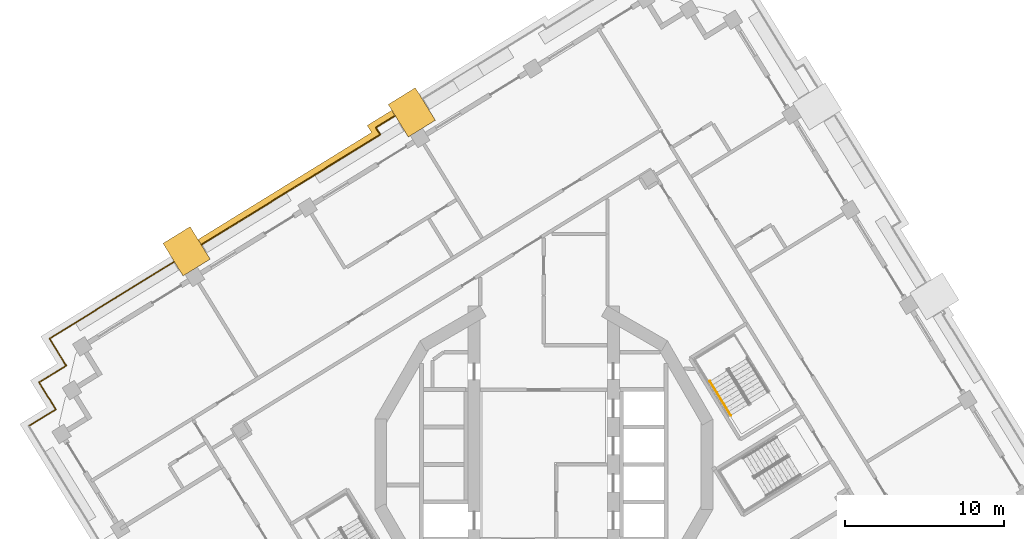
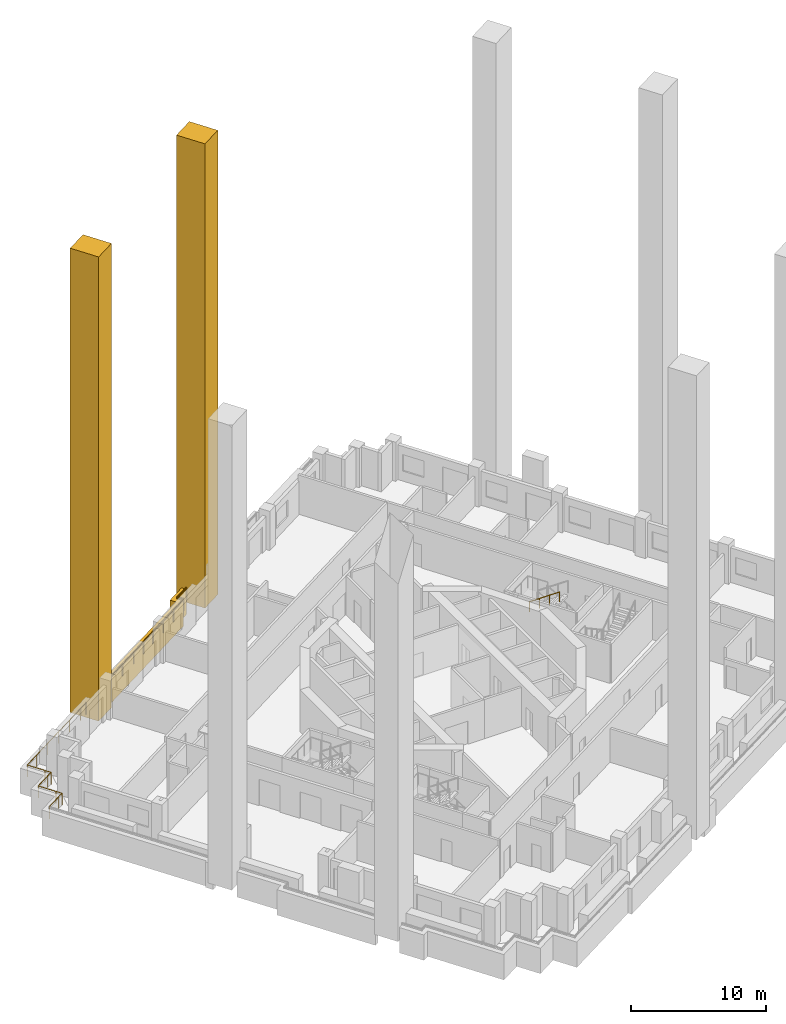
# One storey, part 16 of 19: 3 coverings, 3 railings.
"""IFC4 building model written with IfcOpenShell, lengths in metres."""

from ifc_helpers import new_model, si_unit, direction, frame, origin, origin_2d, place, context, subcontext, project, spatial, polyline, rectangle, circle, outline, extrude, material, type_object, element, save


model = new_model("IFC4")

# Units and contexts
model_context = context("Model", 3, precision=1e-05, world=origin(), true_north=direction((0.0, 1.0)))
body_context = subcontext(model_context, "Body", "Model", "MODEL_VIEW")
ifc_project = project(units=[si_unit("LENGTHUNIT", "METRE"), si_unit("AREAUNIT", "SQUARE_METRE"), si_unit("VOLUMEUNIT", "CUBIC_METRE"), si_unit("PLANEANGLEUNIT", "RADIAN"), si_unit("MASSUNIT", "GRAM", prefix="KILO")], contexts=[model_context])

# Site, building, storey
site_placement = place(None, origin())
site = spatial("IfcSite", under=ifc_project, at=site_placement, CompositionType="ELEMENT")
building_placement = place(site_placement, origin())
building = spatial("IfcBuilding", under=site, at=building_placement, Name="Cantera Rosa Tower", CompositionType="ELEMENT")
storey_placement = place(building_placement, frame((0.0, 0.0, 147.60009765625)))
storey = spatial("IfcBuildingStorey", under=building, at=storey_placement, Name="L31", CompositionType="ELEMENT", Elevation=147.60009765625)

# Railings
ifc_material_1 = material(Name="Stainless steel and laminated glass", Category="steel")
railing_type_1 = type_object("IfcRailingType", Name="GUARD 1100", PredefinedType="BALUSTRADE", material=ifc_material_1)
railing_1_placement = place(storey_placement, frame((-32.38525390625, 2.406982421875, 0.0)))
element("IfcRailing", 1, at=railing_1_placement, inside=storey, type_object=railing_type_1, Name="GUARD L31-3", PredefinedType="BALUSTRADE", context=body_context, shape_type="SweptSolid", body=[
    extrude(circle(Radius=0.030029296875, at=origin_2d()), frame((0.0, 0.0, 1.070068359375), z_axis=(0.85118298814, 0.524869051004, 0.0), x_axis=(-0.524869051004, 0.85118298814, 0.0)), (0.0, 0.0, 1.0), 1.5),
    extrude(circle(Radius=0.030029296875, at=origin_2d()), frame((1.27685546875, 0.787353515625, 1.070068359375), z_axis=(0.851138143202, 0.52494176933, 0.0), x_axis=(-0.52494176933, 0.851138143202, 0.0)), (0.0, 0.0, 1.0), 0.5),
    extrude(circle(Radius=0.030029296875, at=origin_2d()), frame((1.702392578125, 1.0498046875, 1.070068359375), z_axis=(-0.52494176933, 0.851138143202, 0.0), x_axis=(-0.851138143202, -0.52494176933, 0.0)), (0.0, 0.0, 1.0), 0.5),
    extrude(circle(Radius=0.030029296875, at=origin_2d()), frame((1.43994140625, 1.475341796875, 1.070068359375), z_axis=(-0.524986950369, 0.851110276017, 0.0), x_axis=(-0.851110276017, -0.524986950369, 0.0)), (0.0, 0.0, 1.0), 1.500244140625),
    extrude(circle(Radius=0.030029296875, at=origin_2d()), frame((0.65234375, 2.752197265625, 1.070068359375), z_axis=(0.851138143202, 0.52494176933, 0.0), x_axis=(-0.52494176933, 0.851138143202, 0.0)), (0.0, 0.0, 1.0), 1.5),
    extrude(circle(Radius=0.030029296875, at=origin_2d()), frame((1.928955078125, 3.53955078125, 1.070068359375), z_axis=(0.851138143202, 0.52494176933, 0.0), x_axis=(-0.52494176933, 0.851138143202, 0.0)), (0.0, 0.0, 1.0), 0.5),
    extrude(circle(Radius=0.030029296875, at=origin_2d()), frame((2.3544921875, 3.802001953125, 1.070068359375), z_axis=(-0.52494176933, 0.851138143202, 0.0), x_axis=(-0.851138143202, -0.52494176933, 0.0)), (0.0, 0.0, 1.0), 0.5),
    extrude(circle(Radius=0.030029296875, at=origin_2d()), frame((2.092041015625, 4.2275390625, 1.070068359375), z_axis=(-0.524869051004, 0.85118298814, 0.0), x_axis=(-0.85118298814, -0.524869051004, 0.0)), (0.0, 0.0, 1.0), 1.5),
    extrude(circle(Radius=0.030029296875, at=origin_2d()), frame((1.3046875, 5.50439453125, 1.070068359375), z_axis=(0.851138143202, 0.52494176933, 0.0), x_axis=(-0.52494176933, 0.851138143202, 0.0)), (0.0, 0.0, 1.0), 1.5),
    extrude(circle(Radius=0.030029296875, at=origin_2d()), frame((2.581298828125, 6.291748046875, 1.070068359375), z_axis=(0.851120753703, 0.524969963537, 0.0), x_axis=(-0.524969963537, 0.851120753703, 0.0)), (0.0, 0.0, 1.0), 6.820068359375),
    extrude(circle(Radius=0.030029296875, at=origin_2d()), frame((8.385986328125, 9.8720703125, 1.070068359375), z_axis=(0.851089370259, 0.525020841331, 0.0), x_axis=(-0.525020841331, 0.851089370259, 0.0)), (0.0, 0.0, 1.0), 0.8701171875),
    extrude(circle(Radius=0.02490234375, at=origin_2d()), origin(), (0.0, 0.0, 1.0), 1.0400390625),
    extrude(circle(Radius=0.02490234375, at=origin_2d()), frame((1.27685546875, 0.787353515625, 0.0)), (0.0, 0.0, 1.0), 1.0400390625),
    extrude(circle(Radius=0.02490234375, at=origin_2d()), frame((1.702392578125, 1.0498046875, 0.0)), (0.0, 0.0, 1.0), 1.0400390625),
    extrude(circle(Radius=0.02490234375, at=origin_2d()), frame((1.43994140625, 1.475341796875, 0.0)), (0.0, 0.0, 1.0), 1.0400390625),
    extrude(circle(Radius=0.02490234375, at=origin_2d()), frame((0.65234375, 2.752197265625, 0.0)), (0.0, 0.0, 1.0), 1.0400390625),
    extrude(circle(Radius=0.02490234375, at=origin_2d()), frame((1.928955078125, 3.53955078125, 0.0)), (0.0, 0.0, 1.0), 1.0400390625),
    extrude(circle(Radius=0.02490234375, at=origin_2d()), frame((2.3544921875, 3.802001953125, 0.0)), (0.0, 0.0, 1.0), 1.0400390625),
    extrude(circle(Radius=0.02490234375, at=origin_2d()), frame((2.092041015625, 4.2275390625, 0.0)), (0.0, 0.0, 1.0), 1.0400390625),
    extrude(circle(Radius=0.02490234375, at=origin_2d()), frame((1.3046875, 5.50439453125, 0.0)), (0.0, 0.0, 1.0), 1.0400390625),
    extrude(circle(Radius=0.02490234375, at=origin_2d()), frame((2.581298828125, 6.291748046875, 0.0)), (0.0, 0.0, 1.0), 1.0400390625),
    extrude(circle(Radius=0.02490234375, at=origin_2d()), frame((4.032470703125, 7.186767578125, 0.0)), (0.0, 0.0, 1.0), 1.0400390625),
    extrude(circle(Radius=0.02490234375, at=origin_2d()), frame((5.483642578125, 8.08203125, 0.0)), (0.0, 0.0, 1.0), 1.0400390625),
    extrude(circle(Radius=0.02490234375, at=origin_2d()), frame((6.934814453125, 8.97705078125, 0.0)), (0.0, 0.0, 1.0), 1.0400390625),
    extrude(circle(Radius=0.02490234375, at=origin_2d()), frame((8.385986328125, 9.8720703125, 0.0)), (0.0, 0.0, 1.0), 1.0400390625),
    extrude(circle(Radius=0.02490234375, at=origin_2d()), frame((9.12646484375, 10.328857421875, 0.0)), (0.0, 0.0, 1.0), 1.0400390625),
])
railing_2_placement = place(storey_placement, frame((-21.505615234375, 13.817138671875, 0.0)))
element("IfcRailing", 2, at=railing_2_placement, inside=storey, type_object=railing_type_1, Name="GUARD L31-5", PredefinedType="BALUSTRADE", context=body_context, shape_type="SweptSolid", body=[
    extrude(circle(Radius=0.030029296875, at=origin_2d()), frame((0.0, 0.0, 1.070068359375), z_axis=(0.850339408664, 0.52623463405, 0.0), x_axis=(-0.52623463405, 0.850339408664, 0.0)), (0.0, 0.0, 1.0), 0.070068359375),
    extrude(circle(Radius=0.030029296875, at=origin_2d()), frame((0.0595703125, 0.036865234375, 1.070068359375), z_axis=(0.851115851, 0.524977912085, 0.0), x_axis=(-0.524977912085, 0.851115851, 0.0)), (0.0, 0.0, 1.0), 5.320068359375),
    extrude(circle(Radius=0.030029296875, at=origin_2d()), frame((4.587646484375, 2.829833984375, 1.070068359375), z_axis=(0.851138143202, 0.52494176933, 0.0), x_axis=(-0.52494176933, 0.851138143202, 0.0)), (0.0, 0.0, 1.0), 2.999755859375),
    extrude(circle(Radius=0.030029296875, at=origin_2d()), frame((7.140869140625, 4.404541015625, 1.070068359375), z_axis=(0.851118219658, 0.524974071899, 0.0), x_axis=(-0.524974071899, 0.851118219658, 0.0)), (0.0, 0.0, 1.0), 4.7998046875),
    extrude(circle(Radius=0.030029296875, at=origin_2d()), frame((11.22607421875, 6.92431640625, 1.070068359375), z_axis=(-0.525013333851, 0.851094001435, 0.0), x_axis=(-0.851094001435, -0.525013333851, 0.0)), (0.0, 0.0, 1.0), 0.520263671875),
    extrude(circle(Radius=0.030029296875, at=origin_2d()), frame((10.952880859375, 7.3671875, 1.070068359375), z_axis=(0.851091103489, 0.525018031655, 0.0), x_axis=(-0.525018031655, 0.851091103489, 0.0)), (0.0, 0.0, 1.0), 1.390380859375),
    extrude(circle(Radius=0.02490234375, at=origin_2d()), origin(), (0.0, 0.0, 1.0), 1.0400390625),
    extrude(circle(Radius=0.02490234375, at=origin_2d()), frame((0.0595703125, 0.036865234375, 0.0)), (0.0, 0.0, 1.0), 1.0400390625),
    extrude(circle(Radius=0.02490234375, at=origin_2d()), frame((1.56884765625, 0.9677734375, 0.0)), (0.0, 0.0, 1.0), 1.0400390625),
    extrude(circle(Radius=0.02490234375, at=origin_2d()), frame((3.078369140625, 1.89892578125, 0.0)), (0.0, 0.0, 1.0), 1.0400390625),
    extrude(circle(Radius=0.02490234375, at=origin_2d()), frame((4.587646484375, 2.829833984375, 0.0)), (0.0, 0.0, 1.0), 1.0400390625),
    extrude(circle(Radius=0.02490234375, at=origin_2d()), frame((5.8642578125, 3.6171875, 0.0)), (0.0, 0.0, 1.0), 1.0400390625),
    extrude(circle(Radius=0.02490234375, at=origin_2d()), frame((7.140869140625, 4.404541015625, 0.0)), (0.0, 0.0, 1.0), 1.0400390625),
    extrude(circle(Radius=0.02490234375, at=origin_2d()), frame((8.502685546875, 5.244384765625, 0.0)), (0.0, 0.0, 1.0), 1.0400390625),
    extrude(circle(Radius=0.02490234375, at=origin_2d()), frame((9.8642578125, 6.08447265625, 0.0)), (0.0, 0.0, 1.0), 1.0400390625),
    extrude(circle(Radius=0.02490234375, at=origin_2d()), frame((11.22607421875, 6.92431640625, 0.0)), (0.0, 0.0, 1.0), 1.0400390625),
    extrude(circle(Radius=0.02490234375, at=origin_2d()), frame((10.952880859375, 7.3671875, 0.0)), (0.0, 0.0, 1.0), 1.0400390625),
    extrude(circle(Radius=0.02490234375, at=origin_2d()), frame((12.13623046875, 8.09716796875, 0.0)), (0.0, 0.0, 1.0), 1.0400390625),
])
ifc_material_2 = material(Name="Steel S355J2 (EN 10025-2)", Category="steel")
railing_type_2 = type_object("IfcRailingType", Name="STAIR HANDRAIL 900", PredefinedType="HANDRAIL", material=ifc_material_2)
railing_3_placement = place(storey_placement, frame((10.441650390625, 5.2314453125, 2.08984375)))
element("IfcRailing", 3, at=railing_3_placement, inside=storey, type_object=railing_type_2, Name="L31 ST-31 stair handrail 2", PredefinedType="HANDRAIL", context=body_context, shape_type="SweptSolid", body=[
    extrude(circle(Radius=0.02392578125, at=origin_2d()), frame((0.0, 0.0, 0.8759765625), z_axis=(0.434427613125, -0.704271375033, 0.561493080334), x_axis=(0.851102330005, 0.524999832248, 0.0)), (0.0, 0.0, 1.0), 3.04541015625),
    extrude(circle(Radius=0.02099609375, at=origin_2d()), origin(), (0.0, 0.0, 1.0), 0.851806640625),
    extrude(circle(Radius=0.02099609375, at=origin_2d()), frame((0.44091796875, -0.71484375, 0.570068359375)), (0.0, 0.0, 1.0), 0.851806640625),
    extrude(circle(Radius=0.02099609375, at=origin_2d()), frame((0.882080078125, -1.429931640625, 1.139892578125)), (0.0, 0.0, 1.0), 0.851806640625),
    extrude(circle(Radius=0.02099609375, at=origin_2d()), frame((1.322998046875, -2.144775390625, 1.7099609375)), (0.0, 0.0, 1.0), 0.851806640625),
])

# Coverings
ifc_material_3 = material(Name="Cantera stone", Category="masonry")
covering_type_1 = type_object("IfcCoveringType", Name="STONE FIN 2000x2400", PredefinedType="CLADDING", material=ifc_material_3)
for number, where, z_axis, x_axis, name in (
    (4, (-8.29833984375, 22.139892578125, -0.300048828125), (0.0, 0.0, 1.0), (-0.851116672434, -0.52497658034, 0.0), "STONE FIN FN-Z3-03"),
    (5, (-22.4609375, 13.404296875, -0.300048828125), (0.0, 0.0, 1.0), (-0.851116672434, -0.52497658034, 0.0), "STONE FIN FN-Z3-04"),
):
    element("IfcCovering", number, at=place(storey_placement, frame(where, z_axis=z_axis, x_axis=x_axis)), inside=storey, type_object=covering_type_1, Name=name, PredefinedType="CLADDING", context=body_context, shape_type="SweptSolid", body=[
        extrude(rectangle(XDim=2.0, YDim=2.39990234375, at=origin_2d()), origin(), (0.0, 0.0, 1.0), 42.10009765625),
    ])
ifc_material_4 = material(Name="Cantera stone", Category="masonry")
covering_type_2 = type_object("IfcCoveringType", Name="TRAY FASCIA 400", PredefinedType="CLADDING", material=ifc_material_4)
covering_placement = place(storey_placement, frame((0.0, 0.0, -1.400146484375)))
element("IfcCovering", 6, at=covering_placement, inside=storey, type_object=covering_type_2, Name="TRAY FASCIA L31-03", PredefinedType="CLADDING", context=body_context, shape_type="SweptSolid", body=[
    extrude(outline(polyline([(-21.656005859375, 14.1943359375), (-17.1279296875, 16.9873046875), (-14.57470703125, 18.562255859375), (-10.830078125, 20.8720703125), (-11.10302734375, 21.314697265625), (-9.562255859375, 22.26513671875), (-9.352294921875, 21.9248046875), (-10.552734375, 21.184326171875), (-10.279541015625, 20.741455078125), (-14.36474609375, 18.2216796875), (-16.91796875, 16.64697265625), (-21.446044921875, 13.85400390625), (-21.5224609375, 13.806640625), (-21.732666015625, 14.147216796875), (-21.656005859375, 14.1943359375)])), origin(), (0.0, 0.0, 1.0), 2.300048828125),
])

save(model, "model.ifc")
